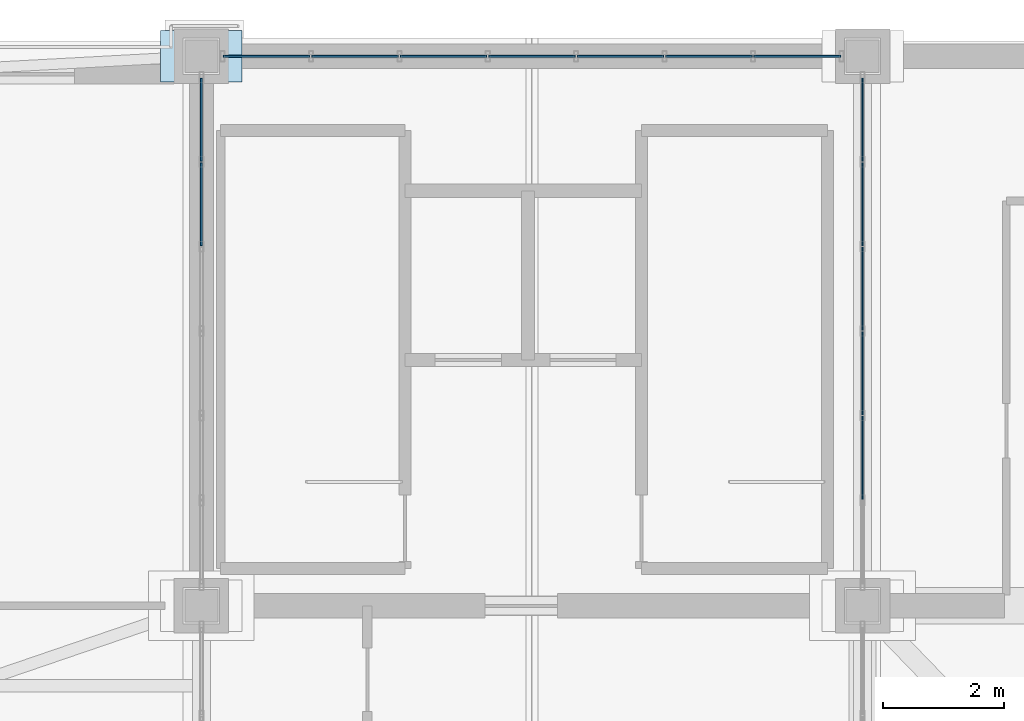
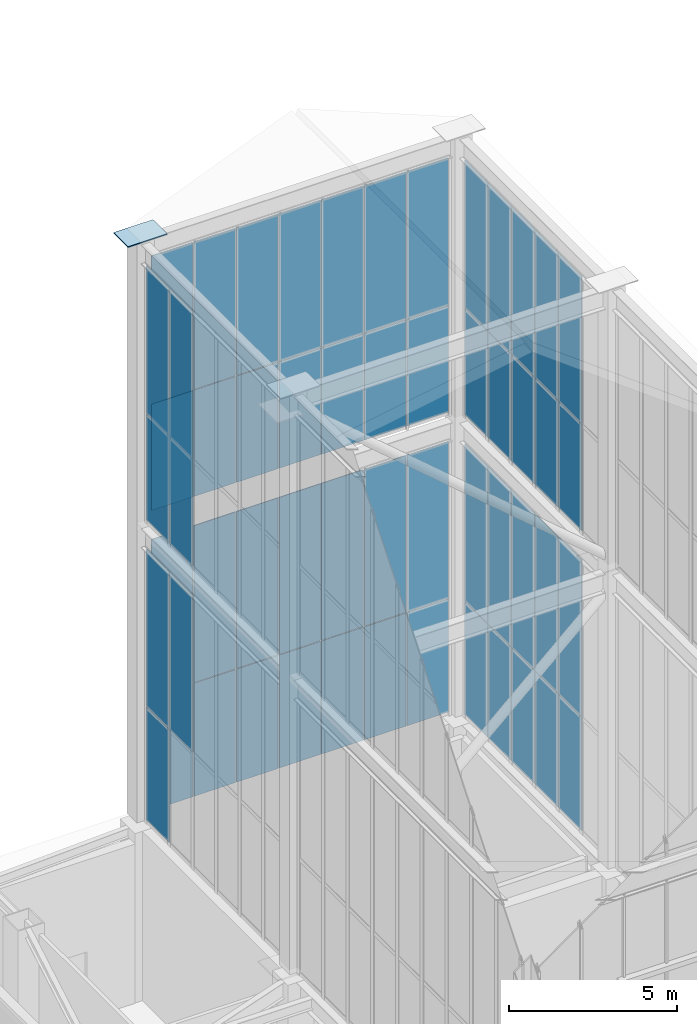
# One storey, part 126 of 135: 56 plates, 6 elements without a shape of their own.
"""IFC4 building model written with IfcOpenShell, lengths in metres."""

from ifc_helpers import new_model, si_unit, direction, frame, origin, origin_2d, place, context, subcontext, project, spatial, rectangle, extrude, source, transform, mapped, material, layer, layer_set, type_object, element, aggregate, save


model = new_model("IFC4")

# Units and contexts
model_context = context("Model", 3, precision=1e-05, world=origin(), true_north=direction((0.0, 1.0)))
body_context = subcontext(model_context, "Body", "Model", "MODEL_VIEW")
ifc_project = project(units=[si_unit("LENGTHUNIT", "METRE"), si_unit("AREAUNIT", "SQUARE_METRE"), si_unit("VOLUMEUNIT", "CUBIC_METRE"), si_unit("PLANEANGLEUNIT", "RADIAN"), si_unit("MASSUNIT", "GRAM", prefix="KILO")], contexts=[model_context])

# Site, building, storey
site_placement = place(None, origin())
site = spatial("IfcSite", under=ifc_project, at=site_placement, CompositionType="ELEMENT")
building_placement = place(site_placement, origin())
building = spatial("IfcBuilding", under=site, at=building_placement, Name="Giltprow Tower", CompositionType="ELEMENT")
storey_placement = place(building_placement, frame((0.0, 0.0, 352.699951171875)))
storey = spatial("IfcBuildingStorey", under=building, at=storey_placement, Name="L92", CompositionType="ELEMENT", Elevation=352.699951171875)

# Plate
ifc_material_1 = material(Name="Structural steel Q420GJC", Category="steel")
plate_type_1 = type_object("IfcPlateType", Name="PLT-NODE-CRN1", PredefinedType="USERDEFINED", material=ifc_material_1)
shared_shape_1 = source(origin(), body_context, "Body", "SweptSolid", [
    extrude(rectangle(XDim=1.35009765625, YDim=0.85009765625, at=origin_2d()), origin(), (0.0, 0.0, 1.0), 0.035888671875),
])
plate_1_placement = place(storey_placement, frame((19.85009765625, 46.550048828125, 27.529296875), z_axis=(0.0, 0.0, 1.0), x_axis=(1.0, 0.0, 0.0)))
element("IfcPlate", 1, at=plate_1_placement, inside=storey, type_object=plate_type_1, Name="CRN1 Crown Frame Ring Node WEST-5", ObjectType="SPLICE", PredefinedType="USERDEFINED", context=body_context, shape_type="MappedRepresentation", body=[
    mapped(shared_shape_1, transform((0.0, 0.0, 0.0), x_axis=(1.0, 0.0, 0.0), y_axis=(0.0, 1.0, 0.0), z_axis=(0.0, 0.0, 1.0), scale=1.0)),
])

# Curtain wall, plates
ifc_material_2 = material(Name="Anodized bronze", Category="metal")
ifc_layer = layer(ifc_material_2, 0.179931640625, Name="Anodized bronze")
ifc_layer_set = layer_set([ifc_layer], Name="Anodized bronze")
curtain_wall_type = type_object("IfcCurtainWallType", Name="CW-CROWN-LANTERN", PredefinedType="NOTDEFINED", material=ifc_layer_set)
curtain_wall_1_placement = place(storey_placement, origin())
curtain_wall_1 = element("IfcCurtainWall", 2, at=curtain_wall_1_placement, inside=storey, type_object=curtain_wall_type, Name="Crown West Lower Lantern Glazing 4", PredefinedType="NOTDEFINED")
ifc_material_3 = material(Name="Insulated glass", Category="glass")
plate_type_2 = type_object("IfcPlateType", Name="CW-PANEL-IGU-28", PredefinedType="CURTAIN_PANEL", material=ifc_material_3)
shared_shape_2 = source(origin(), body_context, "Body", "SweptSolid", [
    extrude(rectangle(XDim=1.43408203125, YDim=0.028076171875, at=origin_2d()), origin(), (0.0, 0.0, 1.0), 4.111083984375),
])
plate_2_placement = place(storey_placement, frame((29.718017578125, 46.550048828125, 6.45361328125), z_axis=(0.0, 0.0, 1.0), x_axis=(-1.0, 0.0, 0.0)))
plate_2 = element("IfcPlate", 3, at=plate_2_placement, type_object=plate_type_2, Name="Crown West Lower Lantern Glazing 4 Glazing Panel 1-1", PredefinedType="CURTAIN_PANEL", context=body_context, shape_type="MappedRepresentation", body=[
    mapped(shared_shape_2, transform((0.0, 0.0, 0.0), x_axis=(1.0, 0.0, 0.0), y_axis=(0.0, 1.0, 0.0), z_axis=(0.0, 0.0, 1.0), scale=1.0)),
])
plate_3_placement = place(storey_placement, frame((28.25390625, 46.550048828125, 6.45361328125), z_axis=(0.0, 0.0, 1.0), x_axis=(-1.0, 0.0, 0.0)))
plate_3 = element("IfcPlate", 4, at=plate_3_placement, type_object=plate_type_2, Name="Crown West Lower Lantern Glazing 4 Glazing Panel 2-1", PredefinedType="CURTAIN_PANEL", context=body_context, shape_type="MappedRepresentation", body=[
    mapped(shared_shape_2, transform((0.0, 0.0, 0.0), x_axis=(1.0, 0.0, 0.0), y_axis=(0.0, 1.0, 0.0), z_axis=(0.0, 0.0, 1.0), scale=1.0)),
])
plate_4_placement = place(storey_placement, frame((26.7890625, 46.550048828125, 6.45361328125), z_axis=(0.0, 0.0, 1.0), x_axis=(-1.0, 0.0, 0.0)))
plate_4 = element("IfcPlate", 5, at=plate_4_placement, type_object=plate_type_2, Name="Crown West Lower Lantern Glazing 4 Glazing Panel 3-1", PredefinedType="CURTAIN_PANEL", context=body_context, shape_type="MappedRepresentation", body=[
    mapped(shared_shape_2, transform((0.0, 0.0, 0.0), x_axis=(1.0, 0.0, 0.0), y_axis=(0.0, 1.0, 0.0), z_axis=(0.0, 0.0, 1.0), scale=1.0)),
])
plate_5_placement = place(storey_placement, frame((25.324951171875, 46.550048828125, 6.45361328125), z_axis=(0.0, 0.0, 1.0), x_axis=(-1.0, 0.0, 0.0)))
plate_5 = element("IfcPlate", 6, at=plate_5_placement, type_object=plate_type_2, Name="Crown West Lower Lantern Glazing 4 Glazing Panel 4-1", PredefinedType="CURTAIN_PANEL", context=body_context, shape_type="MappedRepresentation", body=[
    mapped(shared_shape_2, transform((0.0, 0.0, 0.0), x_axis=(1.0, 0.0, 0.0), y_axis=(0.0, 1.0, 0.0), z_axis=(0.0, 0.0, 1.0), scale=1.0)),
])
plate_6_placement = place(storey_placement, frame((23.861083984375, 46.550048828125, 6.45361328125), z_axis=(0.0, 0.0, 1.0), x_axis=(-1.0, 0.0, 0.0)))
plate_6 = element("IfcPlate", 7, at=plate_6_placement, type_object=plate_type_2, Name="Crown West Lower Lantern Glazing 4 Glazing Panel 5-1", PredefinedType="CURTAIN_PANEL", context=body_context, shape_type="MappedRepresentation", body=[
    mapped(shared_shape_2, transform((0.0, 0.0, 0.0), x_axis=(1.0, 0.0, 0.0), y_axis=(0.0, 1.0, 0.0), z_axis=(0.0, 0.0, 1.0), scale=1.0)),
])
plate_7_placement = place(storey_placement, frame((22.39599609375, 46.550048828125, 6.45361328125), z_axis=(0.0, 0.0, 1.0), x_axis=(-1.0, 0.0, 0.0)))
plate_7 = element("IfcPlate", 8, at=plate_7_placement, type_object=plate_type_2, Name="Crown West Lower Lantern Glazing 4 Glazing Panel 6-1", PredefinedType="CURTAIN_PANEL", context=body_context, shape_type="MappedRepresentation", body=[
    mapped(shared_shape_2, transform((0.0, 0.0, 0.0), x_axis=(1.0, 0.0, 0.0), y_axis=(0.0, 1.0, 0.0), z_axis=(0.0, 0.0, 1.0), scale=1.0)),
])
plate_8_placement = place(storey_placement, frame((20.931884765625, 46.550048828125, 6.45361328125), z_axis=(0.0, 0.0, 1.0), x_axis=(-1.0, 0.0, 0.0)))
plate_8 = element("IfcPlate", 9, at=plate_8_placement, type_object=plate_type_2, Name="Crown West Lower Lantern Glazing 4 Glazing Panel 7-1", PredefinedType="CURTAIN_PANEL", context=body_context, shape_type="MappedRepresentation", body=[
    mapped(shared_shape_2, transform((0.0, 0.0, 0.0), x_axis=(1.0, 0.0, 0.0), y_axis=(0.0, 1.0, 0.0), z_axis=(0.0, 0.0, 1.0), scale=1.0)),
])
shared_shape_3 = source(origin(), body_context, "Body", "SweptSolid", [
    extrude(rectangle(XDim=1.43408203125, YDim=0.028076171875, at=origin_2d()), origin(), (0.0, 0.0, 1.0), 5.702880859375),
])
plate_9_placement = place(storey_placement, frame((29.718017578125, 46.550048828125, 10.5927734375), z_axis=(0.0, 0.0, 1.0), x_axis=(-1.0, 0.0, 0.0)))
plate_9 = element("IfcPlate", 10, at=plate_9_placement, type_object=plate_type_2, Name="Crown West Lower Lantern Glazing 4 Glazing Panel 1-2", PredefinedType="CURTAIN_PANEL", context=body_context, shape_type="MappedRepresentation", body=[
    mapped(shared_shape_3, transform((0.0, 0.0, 0.0), x_axis=(1.0, 0.0, 0.0), y_axis=(0.0, 1.0, 0.0), z_axis=(0.0, 0.0, 1.0), scale=1.0)),
])
plate_10_placement = place(storey_placement, frame((28.25390625, 46.550048828125, 10.5927734375), z_axis=(0.0, 0.0, 1.0), x_axis=(-1.0, 0.0, 0.0)))
plate_10 = element("IfcPlate", 11, at=plate_10_placement, type_object=plate_type_2, Name="Crown West Lower Lantern Glazing 4 Glazing Panel 2-2", PredefinedType="CURTAIN_PANEL", context=body_context, shape_type="MappedRepresentation", body=[
    mapped(shared_shape_3, transform((0.0, 0.0, 0.0), x_axis=(1.0, 0.0, 0.0), y_axis=(0.0, 1.0, 0.0), z_axis=(0.0, 0.0, 1.0), scale=1.0)),
])
plate_11_placement = place(storey_placement, frame((26.7890625, 46.550048828125, 10.5927734375), z_axis=(0.0, 0.0, 1.0), x_axis=(-1.0, 0.0, 0.0)))
plate_11 = element("IfcPlate", 12, at=plate_11_placement, type_object=plate_type_2, Name="Crown West Lower Lantern Glazing 4 Glazing Panel 3-2", PredefinedType="CURTAIN_PANEL", context=body_context, shape_type="MappedRepresentation", body=[
    mapped(shared_shape_3, transform((0.0, 0.0, 0.0), x_axis=(1.0, 0.0, 0.0), y_axis=(0.0, 1.0, 0.0), z_axis=(0.0, 0.0, 1.0), scale=1.0)),
])
plate_12_placement = place(storey_placement, frame((25.324951171875, 46.550048828125, 10.5927734375), z_axis=(0.0, 0.0, 1.0), x_axis=(-1.0, 0.0, 0.0)))
plate_12 = element("IfcPlate", 13, at=plate_12_placement, type_object=plate_type_2, Name="Crown West Lower Lantern Glazing 4 Glazing Panel 4-2", PredefinedType="CURTAIN_PANEL", context=body_context, shape_type="MappedRepresentation", body=[
    mapped(shared_shape_3, transform((0.0, 0.0, 0.0), x_axis=(1.0, 0.0, 0.0), y_axis=(0.0, 1.0, 0.0), z_axis=(0.0, 0.0, 1.0), scale=1.0)),
])
plate_13_placement = place(storey_placement, frame((23.861083984375, 46.550048828125, 10.5927734375), z_axis=(0.0, 0.0, 1.0), x_axis=(-1.0, 0.0, 0.0)))
plate_13 = element("IfcPlate", 14, at=plate_13_placement, type_object=plate_type_2, Name="Crown West Lower Lantern Glazing 4 Glazing Panel 5-2", PredefinedType="CURTAIN_PANEL", context=body_context, shape_type="MappedRepresentation", body=[
    mapped(shared_shape_3, transform((0.0, 0.0, 0.0), x_axis=(1.0, 0.0, 0.0), y_axis=(0.0, 1.0, 0.0), z_axis=(0.0, 0.0, 1.0), scale=1.0)),
])
plate_14_placement = place(storey_placement, frame((22.39599609375, 46.550048828125, 10.5927734375), z_axis=(0.0, 0.0, 1.0), x_axis=(-1.0, 0.0, 0.0)))
plate_14 = element("IfcPlate", 15, at=plate_14_placement, type_object=plate_type_2, Name="Crown West Lower Lantern Glazing 4 Glazing Panel 6-2", PredefinedType="CURTAIN_PANEL", context=body_context, shape_type="MappedRepresentation", body=[
    mapped(shared_shape_3, transform((0.0, 0.0, 0.0), x_axis=(1.0, 0.0, 0.0), y_axis=(0.0, 1.0, 0.0), z_axis=(0.0, 0.0, 1.0), scale=1.0)),
])
plate_15_placement = place(storey_placement, frame((20.931884765625, 46.550048828125, 10.5927734375), z_axis=(0.0, 0.0, 1.0), x_axis=(-1.0, 0.0, 0.0)))
plate_15 = element("IfcPlate", 16, at=plate_15_placement, type_object=plate_type_2, Name="Crown West Lower Lantern Glazing 4 Glazing Panel 7-2", PredefinedType="CURTAIN_PANEL", context=body_context, shape_type="MappedRepresentation", body=[
    mapped(shared_shape_3, transform((0.0, 0.0, 0.0), x_axis=(1.0, 0.0, 0.0), y_axis=(0.0, 1.0, 0.0), z_axis=(0.0, 0.0, 1.0), scale=1.0)),
])
aggregate(curtain_wall_1, [plate_2, plate_9, plate_3, plate_10, plate_4, plate_11, plate_5, plate_12, plate_6, plate_13, plate_7, plate_14, plate_8, plate_15])

curtain_wall_2_placement = place(storey_placement, origin())
curtain_wall_2 = element("IfcCurtainWall", 17, at=curtain_wall_2_placement, inside=storey, type_object=curtain_wall_type, Name="Crown West Upper Lantern Glazing 4", PredefinedType="NOTDEFINED")
shared_shape_4 = source(origin(), body_context, "Body", "SweptSolid", [
    extrude(rectangle(XDim=1.43408203125, YDim=0.028076171875, at=origin_2d()), origin(), (0.0, 0.0, 1.0), 3.865966796875),
])
plate_16_placement = place(storey_placement, frame((29.718017578125, 46.550048828125, 17.35400390625), z_axis=(0.0, 0.0, 1.0), x_axis=(-1.0, 0.0, 0.0)))
plate_16 = element("IfcPlate", 18, at=plate_16_placement, type_object=plate_type_2, Name="Crown West Upper Lantern Glazing 4 Glazing Panel 1-1", PredefinedType="CURTAIN_PANEL", context=body_context, shape_type="MappedRepresentation", body=[
    mapped(shared_shape_4, transform((0.0, 0.0, 0.0), x_axis=(1.0, 0.0, 0.0), y_axis=(0.0, 1.0, 0.0), z_axis=(0.0, 0.0, 1.0), scale=1.0)),
])
plate_17_placement = place(storey_placement, frame((28.25390625, 46.550048828125, 17.35400390625), z_axis=(0.0, 0.0, 1.0), x_axis=(-1.0, 0.0, 0.0)))
plate_17 = element("IfcPlate", 19, at=plate_17_placement, type_object=plate_type_2, Name="Crown West Upper Lantern Glazing 4 Glazing Panel 2-1", PredefinedType="CURTAIN_PANEL", context=body_context, shape_type="MappedRepresentation", body=[
    mapped(shared_shape_4, transform((0.0, 0.0, 0.0), x_axis=(1.0, 0.0, 0.0), y_axis=(0.0, 1.0, 0.0), z_axis=(0.0, 0.0, 1.0), scale=1.0)),
])
plate_18_placement = place(storey_placement, frame((26.7890625, 46.550048828125, 17.35400390625), z_axis=(0.0, 0.0, 1.0), x_axis=(-1.0, 0.0, 0.0)))
plate_18 = element("IfcPlate", 20, at=plate_18_placement, type_object=plate_type_2, Name="Crown West Upper Lantern Glazing 4 Glazing Panel 3-1", PredefinedType="CURTAIN_PANEL", context=body_context, shape_type="MappedRepresentation", body=[
    mapped(shared_shape_4, transform((0.0, 0.0, 0.0), x_axis=(1.0, 0.0, 0.0), y_axis=(0.0, 1.0, 0.0), z_axis=(0.0, 0.0, 1.0), scale=1.0)),
])
plate_19_placement = place(storey_placement, frame((25.324951171875, 46.550048828125, 17.35400390625), z_axis=(0.0, 0.0, 1.0), x_axis=(-1.0, 0.0, 0.0)))
plate_19 = element("IfcPlate", 21, at=plate_19_placement, type_object=plate_type_2, Name="Crown West Upper Lantern Glazing 4 Glazing Panel 4-1", PredefinedType="CURTAIN_PANEL", context=body_context, shape_type="MappedRepresentation", body=[
    mapped(shared_shape_4, transform((0.0, 0.0, 0.0), x_axis=(1.0, 0.0, 0.0), y_axis=(0.0, 1.0, 0.0), z_axis=(0.0, 0.0, 1.0), scale=1.0)),
])
plate_20_placement = place(storey_placement, frame((23.861083984375, 46.550048828125, 17.35400390625), z_axis=(0.0, 0.0, 1.0), x_axis=(-1.0, 0.0, 0.0)))
plate_20 = element("IfcPlate", 22, at=plate_20_placement, type_object=plate_type_2, Name="Crown West Upper Lantern Glazing 4 Glazing Panel 5-1", PredefinedType="CURTAIN_PANEL", context=body_context, shape_type="MappedRepresentation", body=[
    mapped(shared_shape_4, transform((0.0, 0.0, 0.0), x_axis=(1.0, 0.0, 0.0), y_axis=(0.0, 1.0, 0.0), z_axis=(0.0, 0.0, 1.0), scale=1.0)),
])
plate_21_placement = place(storey_placement, frame((22.39599609375, 46.550048828125, 17.35400390625), z_axis=(0.0, 0.0, 1.0), x_axis=(-1.0, 0.0, 0.0)))
plate_21 = element("IfcPlate", 23, at=plate_21_placement, type_object=plate_type_2, Name="Crown West Upper Lantern Glazing 4 Glazing Panel 6-1", PredefinedType="CURTAIN_PANEL", context=body_context, shape_type="MappedRepresentation", body=[
    mapped(shared_shape_4, transform((0.0, 0.0, 0.0), x_axis=(1.0, 0.0, 0.0), y_axis=(0.0, 1.0, 0.0), z_axis=(0.0, 0.0, 1.0), scale=1.0)),
])
plate_22_placement = place(storey_placement, frame((20.931884765625, 46.550048828125, 17.35400390625), z_axis=(0.0, 0.0, 1.0), x_axis=(-1.0, 0.0, 0.0)))
plate_22 = element("IfcPlate", 24, at=plate_22_placement, type_object=plate_type_2, Name="Crown West Upper Lantern Glazing 4 Glazing Panel 7-1", PredefinedType="CURTAIN_PANEL", context=body_context, shape_type="MappedRepresentation", body=[
    mapped(shared_shape_4, transform((0.0, 0.0, 0.0), x_axis=(1.0, 0.0, 0.0), y_axis=(0.0, 1.0, 0.0), z_axis=(0.0, 0.0, 1.0), scale=1.0)),
])
shared_shape_5 = source(origin(), body_context, "Body", "SweptSolid", [
    extrude(rectangle(XDim=1.43408203125, YDim=0.028076171875, at=origin_2d()), origin(), (0.0, 0.0, 1.0), 5.364990234375),
])
plate_23_placement = place(storey_placement, frame((29.718017578125, 46.550048828125, 21.24755859375), z_axis=(0.0, 0.0, 1.0), x_axis=(-1.0, 0.0, 0.0)))
plate_23 = element("IfcPlate", 25, at=plate_23_placement, type_object=plate_type_2, Name="Crown West Upper Lantern Glazing 4 Glazing Panel 1-2", PredefinedType="CURTAIN_PANEL", context=body_context, shape_type="MappedRepresentation", body=[
    mapped(shared_shape_5, transform((0.0, 0.0, 0.0), x_axis=(1.0, 0.0, 0.0), y_axis=(0.0, 1.0, 0.0), z_axis=(0.0, 0.0, 1.0), scale=1.0)),
])
plate_24_placement = place(storey_placement, frame((28.25390625, 46.550048828125, 21.24755859375), z_axis=(0.0, 0.0, 1.0), x_axis=(-1.0, 0.0, 0.0)))
plate_24 = element("IfcPlate", 26, at=plate_24_placement, type_object=plate_type_2, Name="Crown West Upper Lantern Glazing 4 Glazing Panel 2-2", PredefinedType="CURTAIN_PANEL", context=body_context, shape_type="MappedRepresentation", body=[
    mapped(shared_shape_5, transform((0.0, 0.0, 0.0), x_axis=(1.0, 0.0, 0.0), y_axis=(0.0, 1.0, 0.0), z_axis=(0.0, 0.0, 1.0), scale=1.0)),
])
plate_25_placement = place(storey_placement, frame((26.7890625, 46.550048828125, 21.24755859375), z_axis=(0.0, 0.0, 1.0), x_axis=(-1.0, 0.0, 0.0)))
plate_25 = element("IfcPlate", 27, at=plate_25_placement, type_object=plate_type_2, Name="Crown West Upper Lantern Glazing 4 Glazing Panel 3-2", PredefinedType="CURTAIN_PANEL", context=body_context, shape_type="MappedRepresentation", body=[
    mapped(shared_shape_5, transform((0.0, 0.0, 0.0), x_axis=(1.0, 0.0, 0.0), y_axis=(0.0, 1.0, 0.0), z_axis=(0.0, 0.0, 1.0), scale=1.0)),
])
plate_26_placement = place(storey_placement, frame((25.324951171875, 46.550048828125, 21.24755859375), z_axis=(0.0, 0.0, 1.0), x_axis=(-1.0, 0.0, 0.0)))
plate_26 = element("IfcPlate", 28, at=plate_26_placement, type_object=plate_type_2, Name="Crown West Upper Lantern Glazing 4 Glazing Panel 4-2", PredefinedType="CURTAIN_PANEL", context=body_context, shape_type="MappedRepresentation", body=[
    mapped(shared_shape_5, transform((0.0, 0.0, 0.0), x_axis=(1.0, 0.0, 0.0), y_axis=(0.0, 1.0, 0.0), z_axis=(0.0, 0.0, 1.0), scale=1.0)),
])
plate_27_placement = place(storey_placement, frame((23.861083984375, 46.550048828125, 21.24755859375), z_axis=(0.0, 0.0, 1.0), x_axis=(-1.0, 0.0, 0.0)))
plate_27 = element("IfcPlate", 29, at=plate_27_placement, type_object=plate_type_2, Name="Crown West Upper Lantern Glazing 4 Glazing Panel 5-2", PredefinedType="CURTAIN_PANEL", context=body_context, shape_type="MappedRepresentation", body=[
    mapped(shared_shape_5, transform((0.0, 0.0, 0.0), x_axis=(1.0, 0.0, 0.0), y_axis=(0.0, 1.0, 0.0), z_axis=(0.0, 0.0, 1.0), scale=1.0)),
])
plate_28_placement = place(storey_placement, frame((22.39599609375, 46.550048828125, 21.24755859375), z_axis=(0.0, 0.0, 1.0), x_axis=(-1.0, 0.0, 0.0)))
plate_28 = element("IfcPlate", 30, at=plate_28_placement, type_object=plate_type_2, Name="Crown West Upper Lantern Glazing 4 Glazing Panel 6-2", PredefinedType="CURTAIN_PANEL", context=body_context, shape_type="MappedRepresentation", body=[
    mapped(shared_shape_5, transform((0.0, 0.0, 0.0), x_axis=(1.0, 0.0, 0.0), y_axis=(0.0, 1.0, 0.0), z_axis=(0.0, 0.0, 1.0), scale=1.0)),
])
plate_29_placement = place(storey_placement, frame((20.931884765625, 46.550048828125, 21.24755859375), z_axis=(0.0, 0.0, 1.0), x_axis=(-1.0, 0.0, 0.0)))
plate_29 = element("IfcPlate", 31, at=plate_29_placement, type_object=plate_type_2, Name="Crown West Upper Lantern Glazing 4 Glazing Panel 7-2", PredefinedType="CURTAIN_PANEL", context=body_context, shape_type="MappedRepresentation", body=[
    mapped(shared_shape_5, transform((0.0, 0.0, 0.0), x_axis=(1.0, 0.0, 0.0), y_axis=(0.0, 1.0, 0.0), z_axis=(0.0, 0.0, 1.0), scale=1.0)),
])
aggregate(curtain_wall_2, [plate_16, plate_23, plate_17, plate_24, plate_18, plate_25, plate_19, plate_26, plate_20, plate_27, plate_21, plate_28, plate_22, plate_29])

curtain_wall_3_placement = place(storey_placement, origin())
curtain_wall_3 = element("IfcCurtainWall", 32, at=curtain_wall_3_placement, inside=storey, type_object=curtain_wall_type, Name="Crown West Lower Lantern Glazing 3", PredefinedType="NOTDEFINED")
shared_shape_6 = source(origin(), body_context, "Body", "SweptSolid", [
    extrude(rectangle(XDim=1.3701171875, YDim=0.028076171875, at=origin_2d()), origin(), (0.0, 0.0, 1.0), 4.111083984375),
])
plate_30_placement = place(storey_placement, frame((30.800048828125, 39.89990234375, 6.45361328125), z_axis=(0.0, 0.0, 1.0), x_axis=(0.0, 1.0, 0.0)))
plate_30 = element("IfcPlate", 33, at=plate_30_placement, type_object=plate_type_2, Name="Crown West Lower Lantern Glazing 3 Glazing Panel 2-1", PredefinedType="CURTAIN_PANEL", context=body_context, shape_type="MappedRepresentation", body=[
    mapped(shared_shape_6, transform((0.0, 0.0, 0.0), x_axis=(1.0, 0.0, 0.0), y_axis=(0.0, 1.0, 0.0), z_axis=(0.0, 0.0, 1.0), scale=1.0)),
])
plate_31_placement = place(storey_placement, frame((30.800048828125, 41.300048828125, 6.45361328125), z_axis=(0.0, 0.0, 1.0), x_axis=(0.0, 1.0, 0.0)))
plate_31 = element("IfcPlate", 34, at=plate_31_placement, type_object=plate_type_2, Name="Crown West Lower Lantern Glazing 3 Glazing Panel 3-1", PredefinedType="CURTAIN_PANEL", context=body_context, shape_type="MappedRepresentation", body=[
    mapped(shared_shape_6, transform((0.0, 0.0, 0.0), x_axis=(1.0, 0.0, 0.0), y_axis=(0.0, 1.0, 0.0), z_axis=(0.0, 0.0, 1.0), scale=1.0)),
])
plate_32_placement = place(storey_placement, frame((30.800048828125, 42.699951171875, 6.45361328125), z_axis=(0.0, 0.0, 1.0), x_axis=(0.0, 1.0, 0.0)))
plate_32 = element("IfcPlate", 35, at=plate_32_placement, type_object=plate_type_2, Name="Crown West Lower Lantern Glazing 3 Glazing Panel 4-1", PredefinedType="CURTAIN_PANEL", context=body_context, shape_type="MappedRepresentation", body=[
    mapped(shared_shape_6, transform((0.0, 0.0, 0.0), x_axis=(1.0, 0.0, 0.0), y_axis=(0.0, 1.0, 0.0), z_axis=(0.0, 0.0, 1.0), scale=1.0)),
])
plate_33_placement = place(storey_placement, frame((30.800048828125, 44.10009765625, 6.45361328125), z_axis=(0.0, 0.0, 1.0), x_axis=(0.0, 1.0, 0.0)))
plate_33 = element("IfcPlate", 36, at=plate_33_placement, type_object=plate_type_2, Name="Crown West Lower Lantern Glazing 3 Glazing Panel 5-1", PredefinedType="CURTAIN_PANEL", context=body_context, shape_type="MappedRepresentation", body=[
    mapped(shared_shape_6, transform((0.0, 0.0, 0.0), x_axis=(1.0, 0.0, 0.0), y_axis=(0.0, 1.0, 0.0), z_axis=(0.0, 0.0, 1.0), scale=1.0)),
])
plate_34_placement = place(storey_placement, frame((30.800048828125, 45.5, 6.45361328125), z_axis=(0.0, 0.0, 1.0), x_axis=(0.0, 1.0, 0.0)))
plate_34 = element("IfcPlate", 37, at=plate_34_placement, type_object=plate_type_2, Name="Crown West Lower Lantern Glazing 3 Glazing Panel 6-1", PredefinedType="CURTAIN_PANEL", context=body_context, shape_type="MappedRepresentation", body=[
    mapped(shared_shape_6, transform((0.0, 0.0, 0.0), x_axis=(1.0, 0.0, 0.0), y_axis=(0.0, 1.0, 0.0), z_axis=(0.0, 0.0, 1.0), scale=1.0)),
])

# Curtain wall, plate
curtain_wall_4_placement = place(storey_placement, origin())
curtain_wall_4 = element("IfcCurtainWall", 38, at=curtain_wall_4_placement, inside=storey, type_object=curtain_wall_type, Name="Crown West Lower Lantern Glazing 5", PredefinedType="NOTDEFINED")
plate_35_placement = place(storey_placement, frame((19.85009765625, 45.5, 6.45361328125), z_axis=(0.0, 0.0, 1.0), x_axis=(0.0, -1.0, 0.0)))
plate_35 = element("IfcPlate", 39, at=plate_35_placement, type_object=plate_type_2, Name="Crown West Lower Lantern Glazing 5 Glazing Panel 1-1", PredefinedType="CURTAIN_PANEL", context=body_context, shape_type="MappedRepresentation", body=[
    mapped(shared_shape_6, transform((0.0, 0.0, 0.0), x_axis=(1.0, 0.0, 0.0), y_axis=(0.0, 1.0, 0.0), z_axis=(0.0, 0.0, 1.0), scale=1.0)),
])

# Plate
shared_shape_7 = source(origin(), body_context, "Body", "SweptSolid", [
    extrude(rectangle(XDim=1.3701171875, YDim=0.028076171875, at=origin_2d()), origin(), (0.0, 0.0, 1.0), 5.702880859375),
])
plate_36_placement = place(storey_placement, frame((30.800048828125, 39.89990234375, 10.5927734375), z_axis=(0.0, 0.0, 1.0), x_axis=(0.0, 1.0, 0.0)))
plate_36 = element("IfcPlate", 40, at=plate_36_placement, type_object=plate_type_2, Name="Crown West Lower Lantern Glazing 3 Glazing Panel 2-2", PredefinedType="CURTAIN_PANEL", context=body_context, shape_type="MappedRepresentation", body=[
    mapped(shared_shape_7, transform((0.0, 0.0, 0.0), x_axis=(1.0, 0.0, 0.0), y_axis=(0.0, 1.0, 0.0), z_axis=(0.0, 0.0, 1.0), scale=1.0)),
])

plate_37_placement = place(storey_placement, frame((30.800048828125, 41.300048828125, 10.5927734375), z_axis=(0.0, 0.0, 1.0), x_axis=(0.0, 1.0, 0.0)))
plate_37 = element("IfcPlate", 41, at=plate_37_placement, type_object=plate_type_2, Name="Crown West Lower Lantern Glazing 3 Glazing Panel 3-2", PredefinedType="CURTAIN_PANEL", context=body_context, shape_type="MappedRepresentation", body=[
    mapped(shared_shape_7, transform((0.0, 0.0, 0.0), x_axis=(1.0, 0.0, 0.0), y_axis=(0.0, 1.0, 0.0), z_axis=(0.0, 0.0, 1.0), scale=1.0)),
])

plate_38_placement = place(storey_placement, frame((30.800048828125, 42.699951171875, 10.5927734375), z_axis=(0.0, 0.0, 1.0), x_axis=(0.0, 1.0, 0.0)))
plate_38 = element("IfcPlate", 42, at=plate_38_placement, type_object=plate_type_2, Name="Crown West Lower Lantern Glazing 3 Glazing Panel 4-2", PredefinedType="CURTAIN_PANEL", context=body_context, shape_type="MappedRepresentation", body=[
    mapped(shared_shape_7, transform((0.0, 0.0, 0.0), x_axis=(1.0, 0.0, 0.0), y_axis=(0.0, 1.0, 0.0), z_axis=(0.0, 0.0, 1.0), scale=1.0)),
])

plate_39_placement = place(storey_placement, frame((30.800048828125, 44.10009765625, 10.5927734375), z_axis=(0.0, 0.0, 1.0), x_axis=(0.0, 1.0, 0.0)))
plate_39 = element("IfcPlate", 43, at=plate_39_placement, type_object=plate_type_2, Name="Crown West Lower Lantern Glazing 3 Glazing Panel 5-2", PredefinedType="CURTAIN_PANEL", context=body_context, shape_type="MappedRepresentation", body=[
    mapped(shared_shape_7, transform((0.0, 0.0, 0.0), x_axis=(1.0, 0.0, 0.0), y_axis=(0.0, 1.0, 0.0), z_axis=(0.0, 0.0, 1.0), scale=1.0)),
])

plate_40_placement = place(storey_placement, frame((30.800048828125, 45.5, 10.5927734375), z_axis=(0.0, 0.0, 1.0), x_axis=(0.0, 1.0, 0.0)))
plate_40 = element("IfcPlate", 44, at=plate_40_placement, type_object=plate_type_2, Name="Crown West Lower Lantern Glazing 3 Glazing Panel 6-2", PredefinedType="CURTAIN_PANEL", context=body_context, shape_type="MappedRepresentation", body=[
    mapped(shared_shape_7, transform((0.0, 0.0, 0.0), x_axis=(1.0, 0.0, 0.0), y_axis=(0.0, 1.0, 0.0), z_axis=(0.0, 0.0, 1.0), scale=1.0)),
])

aggregate(curtain_wall_3, [plate_30, plate_36, plate_31, plate_37, plate_32, plate_38, plate_33, plate_39, plate_34, plate_40])

plate_41_placement = place(storey_placement, frame((19.85009765625, 45.5, 10.5927734375), z_axis=(0.0, 0.0, 1.0), x_axis=(0.0, -1.0, 0.0)))
plate_41 = element("IfcPlate", 45, at=plate_41_placement, type_object=plate_type_2, Name="Crown West Lower Lantern Glazing 5 Glazing Panel 1-2", PredefinedType="CURTAIN_PANEL", context=body_context, shape_type="MappedRepresentation", body=[
    mapped(shared_shape_7, transform((0.0, 0.0, 0.0), x_axis=(1.0, 0.0, 0.0), y_axis=(0.0, 1.0, 0.0), z_axis=(0.0, 0.0, 1.0), scale=1.0)),
])

plate_42_placement = place(storey_placement, frame((19.85009765625, 44.10009765625, 10.5927734375), z_axis=(0.0, 0.0, 1.0), x_axis=(0.0, -1.0, 0.0)))
plate_42 = element("IfcPlate", 46, at=plate_42_placement, type_object=plate_type_2, Name="Crown West Lower Lantern Glazing 5 Glazing Panel 2-2", PredefinedType="CURTAIN_PANEL", context=body_context, shape_type="MappedRepresentation", body=[
    mapped(shared_shape_7, transform((0.0, 0.0, 0.0), x_axis=(1.0, 0.0, 0.0), y_axis=(0.0, 1.0, 0.0), z_axis=(0.0, 0.0, 1.0), scale=1.0)),
])

aggregate(curtain_wall_4, [plate_35, plate_41, plate_42])

# Curtain wall, plates
curtain_wall_5_placement = place(storey_placement, origin())
curtain_wall_5 = element("IfcCurtainWall", 47, at=curtain_wall_5_placement, inside=storey, type_object=curtain_wall_type, Name="Crown West Upper Lantern Glazing 3", PredefinedType="NOTDEFINED")
shared_shape_8 = source(origin(), body_context, "Body", "SweptSolid", [
    extrude(rectangle(XDim=1.3701171875, YDim=0.028076171875, at=origin_2d()), origin(), (0.0, 0.0, 1.0), 3.865966796875),
])
plate_43_placement = place(storey_placement, frame((30.800048828125, 39.89990234375, 17.35400390625), z_axis=(0.0, 0.0, 1.0), x_axis=(0.0, 1.0, 0.0)))
plate_43 = element("IfcPlate", 48, at=plate_43_placement, type_object=plate_type_2, Name="Crown West Upper Lantern Glazing 3 Glazing Panel 2-1", PredefinedType="CURTAIN_PANEL", context=body_context, shape_type="MappedRepresentation", body=[
    mapped(shared_shape_8, transform((0.0, 0.0, 0.0), x_axis=(1.0, 0.0, 0.0), y_axis=(0.0, 1.0, 0.0), z_axis=(0.0, 0.0, 1.0), scale=1.0)),
])
plate_44_placement = place(storey_placement, frame((30.800048828125, 41.300048828125, 17.35400390625), z_axis=(0.0, 0.0, 1.0), x_axis=(0.0, 1.0, 0.0)))
plate_44 = element("IfcPlate", 49, at=plate_44_placement, type_object=plate_type_2, Name="Crown West Upper Lantern Glazing 3 Glazing Panel 3-1", PredefinedType="CURTAIN_PANEL", context=body_context, shape_type="MappedRepresentation", body=[
    mapped(shared_shape_8, transform((0.0, 0.0, 0.0), x_axis=(1.0, 0.0, 0.0), y_axis=(0.0, 1.0, 0.0), z_axis=(0.0, 0.0, 1.0), scale=1.0)),
])
plate_45_placement = place(storey_placement, frame((30.800048828125, 42.699951171875, 17.35400390625), z_axis=(0.0, 0.0, 1.0), x_axis=(0.0, 1.0, 0.0)))
plate_45 = element("IfcPlate", 50, at=plate_45_placement, type_object=plate_type_2, Name="Crown West Upper Lantern Glazing 3 Glazing Panel 4-1", PredefinedType="CURTAIN_PANEL", context=body_context, shape_type="MappedRepresentation", body=[
    mapped(shared_shape_8, transform((0.0, 0.0, 0.0), x_axis=(1.0, 0.0, 0.0), y_axis=(0.0, 1.0, 0.0), z_axis=(0.0, 0.0, 1.0), scale=1.0)),
])
plate_46_placement = place(storey_placement, frame((30.800048828125, 44.10009765625, 17.35400390625), z_axis=(0.0, 0.0, 1.0), x_axis=(0.0, 1.0, 0.0)))
plate_46 = element("IfcPlate", 51, at=plate_46_placement, type_object=plate_type_2, Name="Crown West Upper Lantern Glazing 3 Glazing Panel 5-1", PredefinedType="CURTAIN_PANEL", context=body_context, shape_type="MappedRepresentation", body=[
    mapped(shared_shape_8, transform((0.0, 0.0, 0.0), x_axis=(1.0, 0.0, 0.0), y_axis=(0.0, 1.0, 0.0), z_axis=(0.0, 0.0, 1.0), scale=1.0)),
])
plate_47_placement = place(storey_placement, frame((30.800048828125, 45.5, 17.35400390625), z_axis=(0.0, 0.0, 1.0), x_axis=(0.0, 1.0, 0.0)))
plate_47 = element("IfcPlate", 52, at=plate_47_placement, type_object=plate_type_2, Name="Crown West Upper Lantern Glazing 3 Glazing Panel 6-1", PredefinedType="CURTAIN_PANEL", context=body_context, shape_type="MappedRepresentation", body=[
    mapped(shared_shape_8, transform((0.0, 0.0, 0.0), x_axis=(1.0, 0.0, 0.0), y_axis=(0.0, 1.0, 0.0), z_axis=(0.0, 0.0, 1.0), scale=1.0)),
])

curtain_wall_6_placement = place(storey_placement, origin())
curtain_wall_6 = element("IfcCurtainWall", 53, at=curtain_wall_6_placement, inside=storey, type_object=curtain_wall_type, Name="Crown West Upper Lantern Glazing 5", PredefinedType="NOTDEFINED")
plate_48_placement = place(storey_placement, frame((19.85009765625, 45.5, 17.35400390625), z_axis=(0.0, 0.0, 1.0), x_axis=(0.0, -1.0, 0.0)))
plate_48 = element("IfcPlate", 54, at=plate_48_placement, type_object=plate_type_2, Name="Crown West Upper Lantern Glazing 5 Glazing Panel 1-1", PredefinedType="CURTAIN_PANEL", context=body_context, shape_type="MappedRepresentation", body=[
    mapped(shared_shape_8, transform((0.0, 0.0, 0.0), x_axis=(1.0, 0.0, 0.0), y_axis=(0.0, 1.0, 0.0), z_axis=(0.0, 0.0, 1.0), scale=1.0)),
])
plate_49_placement = place(storey_placement, frame((19.85009765625, 44.10009765625, 17.35400390625), z_axis=(0.0, 0.0, 1.0), x_axis=(0.0, -1.0, 0.0)))
plate_49 = element("IfcPlate", 55, at=plate_49_placement, type_object=plate_type_2, Name="Crown West Upper Lantern Glazing 5 Glazing Panel 2-1", PredefinedType="CURTAIN_PANEL", context=body_context, shape_type="MappedRepresentation", body=[
    mapped(shared_shape_8, transform((0.0, 0.0, 0.0), x_axis=(1.0, 0.0, 0.0), y_axis=(0.0, 1.0, 0.0), z_axis=(0.0, 0.0, 1.0), scale=1.0)),
])

# Plate
shared_shape_9 = source(origin(), body_context, "Body", "SweptSolid", [
    extrude(rectangle(XDim=1.3701171875, YDim=0.028076171875, at=origin_2d()), origin(), (0.0, 0.0, 1.0), 5.364990234375),
])
plate_50_placement = place(storey_placement, frame((30.800048828125, 39.89990234375, 21.24755859375), z_axis=(0.0, 0.0, 1.0), x_axis=(0.0, 1.0, 0.0)))
plate_50 = element("IfcPlate", 56, at=plate_50_placement, type_object=plate_type_2, Name="Crown West Upper Lantern Glazing 3 Glazing Panel 2-2", PredefinedType="CURTAIN_PANEL", context=body_context, shape_type="MappedRepresentation", body=[
    mapped(shared_shape_9, transform((0.0, 0.0, 0.0), x_axis=(1.0, 0.0, 0.0), y_axis=(0.0, 1.0, 0.0), z_axis=(0.0, 0.0, 1.0), scale=1.0)),
])

plate_51_placement = place(storey_placement, frame((30.800048828125, 41.300048828125, 21.24755859375), z_axis=(0.0, 0.0, 1.0), x_axis=(0.0, 1.0, 0.0)))
plate_51 = element("IfcPlate", 57, at=plate_51_placement, type_object=plate_type_2, Name="Crown West Upper Lantern Glazing 3 Glazing Panel 3-2", PredefinedType="CURTAIN_PANEL", context=body_context, shape_type="MappedRepresentation", body=[
    mapped(shared_shape_9, transform((0.0, 0.0, 0.0), x_axis=(1.0, 0.0, 0.0), y_axis=(0.0, 1.0, 0.0), z_axis=(0.0, 0.0, 1.0), scale=1.0)),
])

plate_52_placement = place(storey_placement, frame((30.800048828125, 42.699951171875, 21.24755859375), z_axis=(0.0, 0.0, 1.0), x_axis=(0.0, 1.0, 0.0)))
plate_52 = element("IfcPlate", 58, at=plate_52_placement, type_object=plate_type_2, Name="Crown West Upper Lantern Glazing 3 Glazing Panel 4-2", PredefinedType="CURTAIN_PANEL", context=body_context, shape_type="MappedRepresentation", body=[
    mapped(shared_shape_9, transform((0.0, 0.0, 0.0), x_axis=(1.0, 0.0, 0.0), y_axis=(0.0, 1.0, 0.0), z_axis=(0.0, 0.0, 1.0), scale=1.0)),
])

plate_53_placement = place(storey_placement, frame((30.800048828125, 44.10009765625, 21.24755859375), z_axis=(0.0, 0.0, 1.0), x_axis=(0.0, 1.0, 0.0)))
plate_53 = element("IfcPlate", 59, at=plate_53_placement, type_object=plate_type_2, Name="Crown West Upper Lantern Glazing 3 Glazing Panel 5-2", PredefinedType="CURTAIN_PANEL", context=body_context, shape_type="MappedRepresentation", body=[
    mapped(shared_shape_9, transform((0.0, 0.0, 0.0), x_axis=(1.0, 0.0, 0.0), y_axis=(0.0, 1.0, 0.0), z_axis=(0.0, 0.0, 1.0), scale=1.0)),
])

plate_54_placement = place(storey_placement, frame((30.800048828125, 45.5, 21.24755859375), z_axis=(0.0, 0.0, 1.0), x_axis=(0.0, 1.0, 0.0)))
plate_54 = element("IfcPlate", 60, at=plate_54_placement, type_object=plate_type_2, Name="Crown West Upper Lantern Glazing 3 Glazing Panel 6-2", PredefinedType="CURTAIN_PANEL", context=body_context, shape_type="MappedRepresentation", body=[
    mapped(shared_shape_9, transform((0.0, 0.0, 0.0), x_axis=(1.0, 0.0, 0.0), y_axis=(0.0, 1.0, 0.0), z_axis=(0.0, 0.0, 1.0), scale=1.0)),
])

aggregate(curtain_wall_5, [plate_43, plate_50, plate_44, plate_51, plate_45, plate_52, plate_46, plate_53, plate_47, plate_54])

plate_55_placement = place(storey_placement, frame((19.85009765625, 45.5, 21.24755859375), z_axis=(0.0, 0.0, 1.0), x_axis=(0.0, -1.0, 0.0)))
plate_55 = element("IfcPlate", 61, at=plate_55_placement, type_object=plate_type_2, Name="Crown West Upper Lantern Glazing 5 Glazing Panel 1-2", PredefinedType="CURTAIN_PANEL", context=body_context, shape_type="MappedRepresentation", body=[
    mapped(shared_shape_9, transform((0.0, 0.0, 0.0), x_axis=(1.0, 0.0, 0.0), y_axis=(0.0, 1.0, 0.0), z_axis=(0.0, 0.0, 1.0), scale=1.0)),
])

plate_56_placement = place(storey_placement, frame((19.85009765625, 44.10009765625, 21.24755859375), z_axis=(0.0, 0.0, 1.0), x_axis=(0.0, -1.0, 0.0)))
plate_56 = element("IfcPlate", 62, at=plate_56_placement, type_object=plate_type_2, Name="Crown West Upper Lantern Glazing 5 Glazing Panel 2-2", PredefinedType="CURTAIN_PANEL", context=body_context, shape_type="MappedRepresentation", body=[
    mapped(shared_shape_9, transform((0.0, 0.0, 0.0), x_axis=(1.0, 0.0, 0.0), y_axis=(0.0, 1.0, 0.0), z_axis=(0.0, 0.0, 1.0), scale=1.0)),
])

aggregate(curtain_wall_6, [plate_48, plate_55, plate_49, plate_56])

save(model, "model.ifc")
